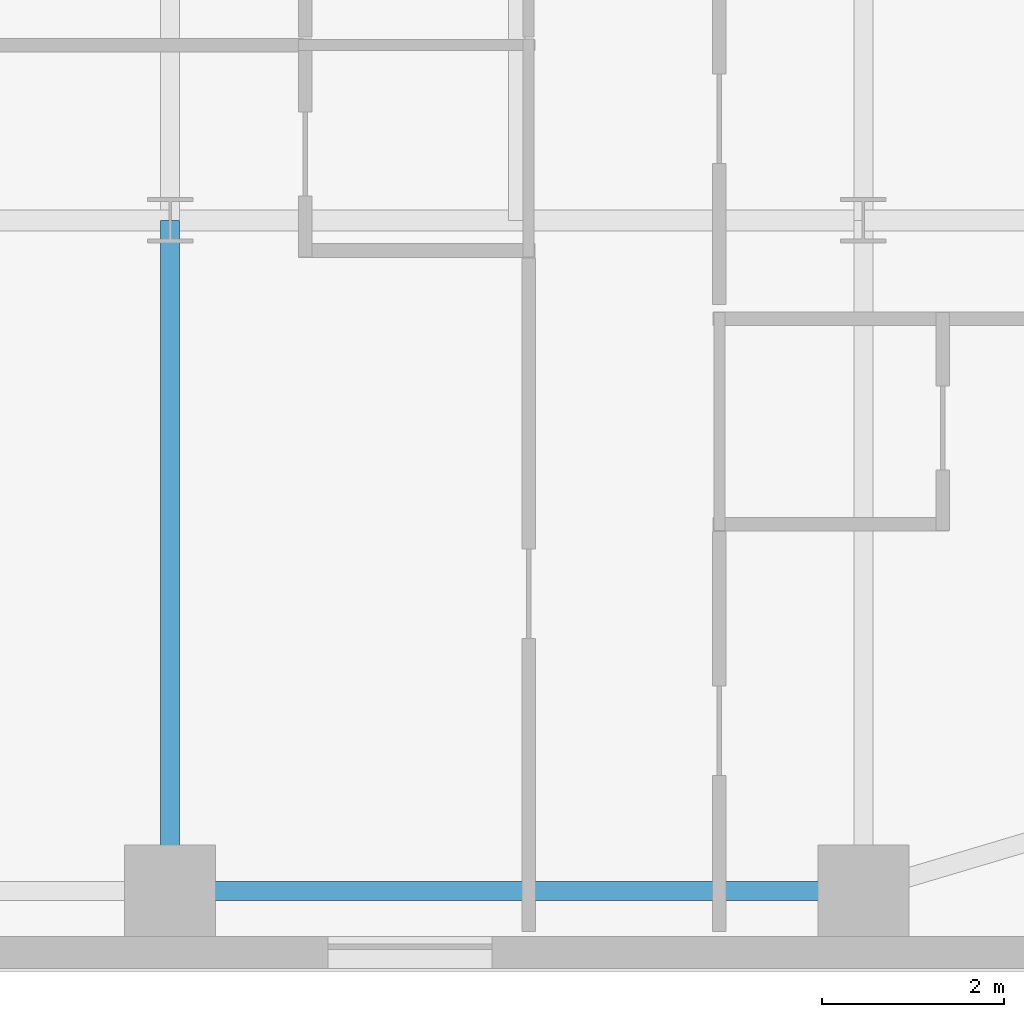
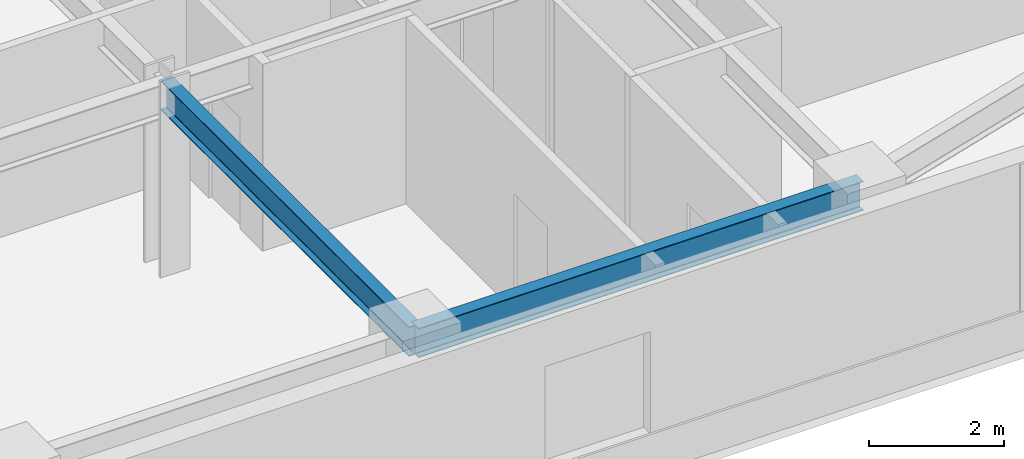
# One storey, part 8 of 25: 2 beams.
"""IFC4 building model written with IfcOpenShell, lengths in metres."""

import ifcopenshell
import ifcopenshell.guid

model = None  # the IFC model being written
_history = None  # IfcOwnerHistory: only IFC2X3 demands one
_inside = {}  # id of a spatial element -> (the spatial element, [elements in it])
_under = {}  # id of a project, library or spatial element -> (it, [spatial elements below it])
_declared = {}  # id of a project -> (the project, [libraries it declares])
_typed = {}  # id of a type object -> (the type object, [elements of that type])
_made_of = {}  # id of a material, layer set ... -> (it, [elements and type objects made of it])


def new_model(schema):
    """Start an empty IFC model of exactly this schema.

    Asked for "IFC4X3", IfcOpenShell would pick the latest addendum, in which some entities
    have other attributes; the version numbers below select the first issue.
    IFC2X3 requires an IfcOwnerHistory on every rooted entity: one is made here for all.
    """
    global model, _history
    if schema == "IFC4X3":
        model = ifcopenshell.file(schema_version=(4, 3, 0, 0))
    else:
        model = ifcopenshell.file(schema=schema)
    _inside.clear()
    _under.clear()
    _declared.clear()
    _typed.clear()
    _made_of.clear()
    _history = None
    if model.schema == "IFC2X3":
        org = make("IfcOrganization", Name="unknown")
        user = make(
            "IfcPersonAndOrganization",
            ThePerson=make("IfcPerson", FamilyName="unknown"),
            TheOrganization=org,
        )
        app = make(
            "IfcApplication",
            ApplicationDeveloper=org,
            Version="unknown",
            ApplicationFullName="unknown",
            ApplicationIdentifier="unknown",
        )
        _history = make(
            "IfcOwnerHistory",
            OwningUser=user,
            OwningApplication=app,
            ChangeAction="ADDED",
            CreationDate=0,
        )
    return model


def make(cls, **values):
    """One entity of the class cls with the attributes given. An attribute that is None is left unset."""
    return model.create_entity(
        cls, **{name: value for name, value in values.items() if value is not None}
    )


def rooted(cls, **values):
    """An entity with a GlobalId (a new one), such as an element, a storey or a relation."""
    return make(cls, GlobalId=ifcopenshell.guid.new(), OwnerHistory=_history, **values)


def si_unit(unit_type, name, prefix=None):
    """IfcSIUnit, for example si_unit("LENGTHUNIT", "METRE", prefix="MILLI")."""
    return make("IfcSIUnit", UnitType=unit_type, Prefix=prefix, Name=name)


def assignment(units):
    """IfcUnitAssignment: the units of a project."""
    return None if units is None else make("IfcUnitAssignment", Units=units)


def point(xyz):
    """IfcCartesianPoint."""
    return None if xyz is None else make("IfcCartesianPoint", Coordinates=xyz)


def direction(xyz):
    """IfcDirection."""
    return None if xyz is None else make("IfcDirection", DirectionRatios=xyz)


def frame(location, z_axis=None, x_axis=None):
    """IfcAxis2Placement3D, a coordinate frame: its origin and axes. An axis left out is left unset."""
    return make(
        "IfcAxis2Placement3D",
        Location=point(location),
        Axis=direction(z_axis),
        RefDirection=direction(x_axis),
    )


def frame_2d(location, x_axis=None):
    """IfcAxis2Placement2D, a coordinate frame in the plane: its origin and x axis."""
    return make(
        "IfcAxis2Placement2D", Location=point(location), RefDirection=direction(x_axis)
    )


def origin():
    """The frame at (0, 0, 0) with its axes left unset."""
    return frame((0.0, 0.0, 0.0))


def origin_2d():
    """The frame at (0, 0) in the plane with its x axis left unset."""
    return frame_2d((0.0, 0.0))


def place(relative_to, where):
    """IfcLocalPlacement: puts the frame where relative to a parent placement (None: the world)."""
    return make(
        "IfcLocalPlacement", PlacementRelTo=relative_to, RelativePlacement=where
    )


def context(
    kind, dimensions, precision=None, world=None, true_north=None, identifier=None
):
    """IfcGeometricRepresentationContext, for example the 3D "Model" context."""
    return make(
        "IfcGeometricRepresentationContext",
        ContextIdentifier=identifier,
        ContextType=kind,
        CoordinateSpaceDimension=dimensions,
        Precision=precision,
        WorldCoordinateSystem=world,
        TrueNorth=true_north,
    )


def subcontext(parent, identifier, kind, view, scale=None):
    """IfcGeometricRepresentationSubContext, for example "Body" below "Model"."""
    return make(
        "IfcGeometricRepresentationSubContext",
        ContextIdentifier=identifier,
        ContextType=kind,
        ParentContext=parent,
        TargetScale=scale,
        TargetView=view,
    )


def project(units=None, contexts=None):
    """IfcProject with its units and contexts."""
    return rooted(
        "IfcProject",
        Name="project",
        RepresentationContexts=contexts,
        UnitsInContext=assignment(units),
    )


def spatial(cls, under=None, at=None, **own):
    """A site, building, storey or space (cls), placed at a placement, below another one or the project."""
    s = rooted(cls, ObjectPlacement=at, **own)
    if under is not None:
        _under.setdefault(under.id(), (under, []))[1].append(s)
    return s


def profile(cls, at=None, kind="AREA", **sizes):
    """A parametric profile (cls). Its sizes go by their IFC names, for example OverallWidth=200.0."""
    return make(cls, ProfileType=kind, Position=at, **sizes)


def i_section(**sizes):
    """IfcIShapeProfileDef."""
    return profile("IfcIShapeProfileDef", **sizes)


def extrude(swept, where, along, depth):
    """IfcExtrudedAreaSolid: the profile swept, set in the frame where, extruded along a direction by depth."""
    return make(
        "IfcExtrudedAreaSolid",
        SweptArea=swept,
        Position=where,
        ExtrudedDirection=direction(along),
        Depth=depth,
    )


def shape(context_of_items, identifier, shape_type, items):
    """IfcShapeRepresentation: the items that make up one representation, for example the "Body"."""
    return make(
        "IfcShapeRepresentation",
        ContextOfItems=context_of_items,
        RepresentationIdentifier=identifier,
        RepresentationType=shape_type,
        Items=items,
    )


def source(mapping_origin, context_of_items, identifier, shape_type, items):
    """IfcRepresentationMap: a shape defined once, which mapped items show again and again."""
    return make(
        "IfcRepresentationMap",
        MappingOrigin=mapping_origin,
        MappedRepresentation=shape(context_of_items, identifier, shape_type, items),
    )


def transform(
    local_origin,
    x_axis=None,
    y_axis=None,
    z_axis=None,
    scale=None,
    scale2=None,
    scale3=None,
    uniform=True,
):
    """IfcCartesianTransformationOperator3D, or its non-uniform kind. x_axis, y_axis, z_axis: its Axis1, 2, 3."""
    if uniform:
        return make(
            "IfcCartesianTransformationOperator3D",
            Axis1=direction(x_axis),
            Axis2=direction(y_axis),
            LocalOrigin=point(local_origin),
            Scale=scale,
            Axis3=direction(z_axis),
        )
    return make(
        "IfcCartesianTransformationOperator3DnonUniform",
        Axis1=direction(x_axis),
        Axis2=direction(y_axis),
        LocalOrigin=point(local_origin),
        Scale=scale,
        Axis3=direction(z_axis),
        Scale2=scale2,
        Scale3=scale3,
    )


def mapped(mapping_source, mapping_target):
    """IfcMappedItem: shows the shape of a source again, moved by a transform."""
    return make(
        "IfcMappedItem", MappingSource=mapping_source, MappingTarget=mapping_target
    )


def material(Name=None, Category=None):
    """IfcMaterial."""
    return make("IfcMaterial", Name=Name, Category=Category)


def material_profile(
    of_material, cross_section, Name=None, Category=None, Priority=None
):
    """IfcMaterialProfile: a cross section and its material."""
    return make(
        "IfcMaterialProfile",
        Name=Name,
        Material=of_material,
        Profile=cross_section,
        Priority=Priority,
        Category=Category,
    )


def profile_set(profiles, Name=None, composite=None):
    """IfcMaterialProfileSet."""
    return make(
        "IfcMaterialProfileSet",
        Name=Name,
        MaterialProfiles=profiles,
        CompositeProfile=composite,
    )


def made_of(thing, what):
    """Note that an element or type object is made of a material, layer set ...; save() writes the relation."""
    if what is not None:
        _made_of.setdefault(what.id(), (what, []))[1].append(thing)
    return thing


def type_object(cls, material=None, **own):
    """A type object (cls), such as IfcWallType, which elements share."""
    return made_of(rooted(cls, **own), material)


def type_shapes(of_type, sources):
    """Give a type object the sources (RepresentationMaps) that its elements show as mapped items."""
    of_type.RepresentationMaps = sources


def element(
    cls,
    number,
    at=None,
    inside=None,
    cuts=None,
    type_object=None,
    material=None,
    context=None,
    identifier="Body",
    shape_type=None,
    held_by="IfcProductDefinitionShape",
    body=None,
    shapes=None,
    **own,
):
    """One element of the class cls, such as IfcWall. Its Tag is "e" and its number.

    at: its placement. inside: the storey or other place that contains it. cuts: it is an
    opening in that element (IfcRelVoidsElement). A single representation is given by context,
    identifier, shape_type and body (its items); several are given by shapes. held_by: the class
    of the entity that holds the representations. save() writes the other relations.
    """
    e = rooted(cls, Tag="e%d" % number, ObjectPlacement=at, **own)
    if body is not None:
        shapes = [shape(context, identifier, shape_type, body)]
    if shapes is not None:
        e.Representation = make(held_by, Representations=shapes)
    if inside is not None:
        _inside.setdefault(inside.id(), (inside, []))[1].append(e)
    if cuts is not None:
        rooted(
            "IfcRelVoidsElement", RelatingBuildingElement=cuts, RelatedOpeningElement=e
        )
    if type_object is not None:
        _typed.setdefault(type_object.id(), (type_object, []))[1].append(e)
    return made_of(e, material)


def aggregate(whole, parts):
    """IfcRelAggregates: a whole, such as a stair, and the parts it consists of."""
    return rooted("IfcRelAggregates", RelatingObject=whole, RelatedObjects=parts)


def save(model, path):
    """Write the relations noted so far, then the file.

    IfcRelAggregates (storeys below a building ...), IfcRelContainedInSpatialStructure (elements
    in a storey), IfcRelDefinesByType, IfcRelAssociatesMaterial and IfcRelDeclares: one each for
    every whole, place, type object, material and project.
    """
    for whole, parts in _under.values():
        aggregate(whole, parts)
    for where, things in _inside.values():
        rooted(
            "IfcRelContainedInSpatialStructure",
            RelatedElements=things,
            RelatingStructure=where,
        )
    for kind, things in _typed.values():
        rooted("IfcRelDefinesByType", RelatedObjects=things, RelatingType=kind)
    for what, things in _made_of.values():
        rooted("IfcRelAssociatesMaterial", RelatedObjects=things, RelatingMaterial=what)
    for by, libraries in _declared.values():
        rooted("IfcRelDeclares", RelatingContext=by, RelatedDefinitions=libraries)
    model.write(path)


model = new_model("IFC4")

# Units and contexts
model_context = context("Model", 3, precision=1e-05, world=origin(), true_north=direction((0.0, 1.0)))
body_context = subcontext(model_context, "Body", "Model", "MODEL_VIEW")
ifc_project = project(units=[si_unit("LENGTHUNIT", "METRE"), si_unit("AREAUNIT", "SQUARE_METRE"), si_unit("VOLUMEUNIT", "CUBIC_METRE"), si_unit("PLANEANGLEUNIT", "RADIAN"), si_unit("MASSUNIT", "GRAM", prefix="KILO")], contexts=[model_context])

# Site, building, storey
site_placement = place(None, origin())
site = spatial("IfcSite", under=ifc_project, at=site_placement, CompositionType="ELEMENT")
building_placement = place(site_placement, origin())
building = spatial("IfcBuilding", under=site, at=building_placement, Name="Tolvann Quenvar Hotel", CompositionType="ELEMENT")
storey_placement = place(building_placement, frame((0.0, 0.0, 60.39990234375)))
storey = spatial("IfcBuildingStorey", under=building, at=storey_placement, Name="L14", CompositionType="ELEMENT", Elevation=60.39990234375)

# Beams
ifc_material = material(Name="Steel Grade 350", Category="steel")
ifc_material_profile_1 = material_profile(ifc_material, i_section(OverallWidth=0.208984375, OverallDepth=0.528076171875, WebThickness=0.009521484375, FlangeThickness=0.01318359375, FilletRadius=0.013916015625, at=origin_2d()), Name="530UB82")
ifc_profile_set_1 = profile_set([ifc_material_profile_1], Name="Steel Grade 350")
beam_type_1 = type_object("IfcBeamType", Name="BM_SPAND_530UB82", PredefinedType="SPANDREL", material=ifc_profile_set_1)
shared_shape_1 = source(origin(), body_context, "Body", "SweptSolid", [
    extrude(i_section(OverallWidth=0.208984375, OverallDepth=0.528076171875, WebThickness=0.009521484375, FlangeThickness=0.01318359375, FilletRadius=0.013916015625, at=origin_2d()), origin(), (0.0, 0.0, 1.0), 7.599853515625),
])
type_shapes(beam_type_1, [shared_shape_1])
beam_1_placement = place(storey_placement, frame((41.800048828125, 0.85009765625, 3.106201171875), z_axis=(1.0, 0.0, 0.0), x_axis=(0.0, 1.0, 0.0)))
element("IfcBeam", 1, at=beam_1_placement, inside=storey, type_object=beam_type_1, Name="BM-L14-EW-2-H2-I2", PredefinedType="SPANDREL", context=body_context, shape_type="MappedRepresentation", body=[
    mapped(shared_shape_1, transform((0.0, 0.0, 0.0), x_axis=(1.0, 0.0, 0.0), y_axis=(0.0, 1.0, 0.0), z_axis=(0.0, 0.0, 1.0), scale=1.0)),
])
ifc_material_profile_2 = material_profile(ifc_material, i_section(OverallWidth=0.208984375, OverallDepth=0.532958984375, WebThickness=0.01025390625, FlangeThickness=0.015625, FilletRadius=0.013916015625, at=origin_2d()), Name="530UB92")
ifc_profile_set_2 = profile_set([ifc_material_profile_2], Name="Steel Grade 350")
beam_type_2 = type_object("IfcBeamType", Name="BM_GIRD_530UB92", PredefinedType="BEAM", material=ifc_profile_set_2)
shared_shape_2 = source(origin(), body_context, "Body", "SweptSolid", [
    extrude(i_section(OverallWidth=0.208984375, OverallDepth=0.532958984375, WebThickness=0.01025390625, FlangeThickness=0.015625, FilletRadius=0.013916015625, at=origin_2d()), origin(), (0.0, 0.0, 1.0), 7.349853515625),
])
type_shapes(beam_type_2, [shared_shape_2])
beam_2_placement = place(storey_placement, frame((41.800048828125, 0.85009765625, 3.103515625), z_axis=(0.0, 1.0, 0.0), x_axis=(-1.0, 0.0, 0.0)))
element("IfcBeam", 2, at=beam_2_placement, inside=storey, type_object=beam_type_2, Name="BM-L14-NS-H2-H3", PredefinedType="BEAM", context=body_context, shape_type="MappedRepresentation", body=[
    mapped(shared_shape_2, transform((0.0, 0.0, 0.0), x_axis=(1.0, 0.0, 0.0), y_axis=(0.0, 1.0, 0.0), z_axis=(0.0, 0.0, 1.0), scale=1.0)),
])

save(model, "model.ifc")
